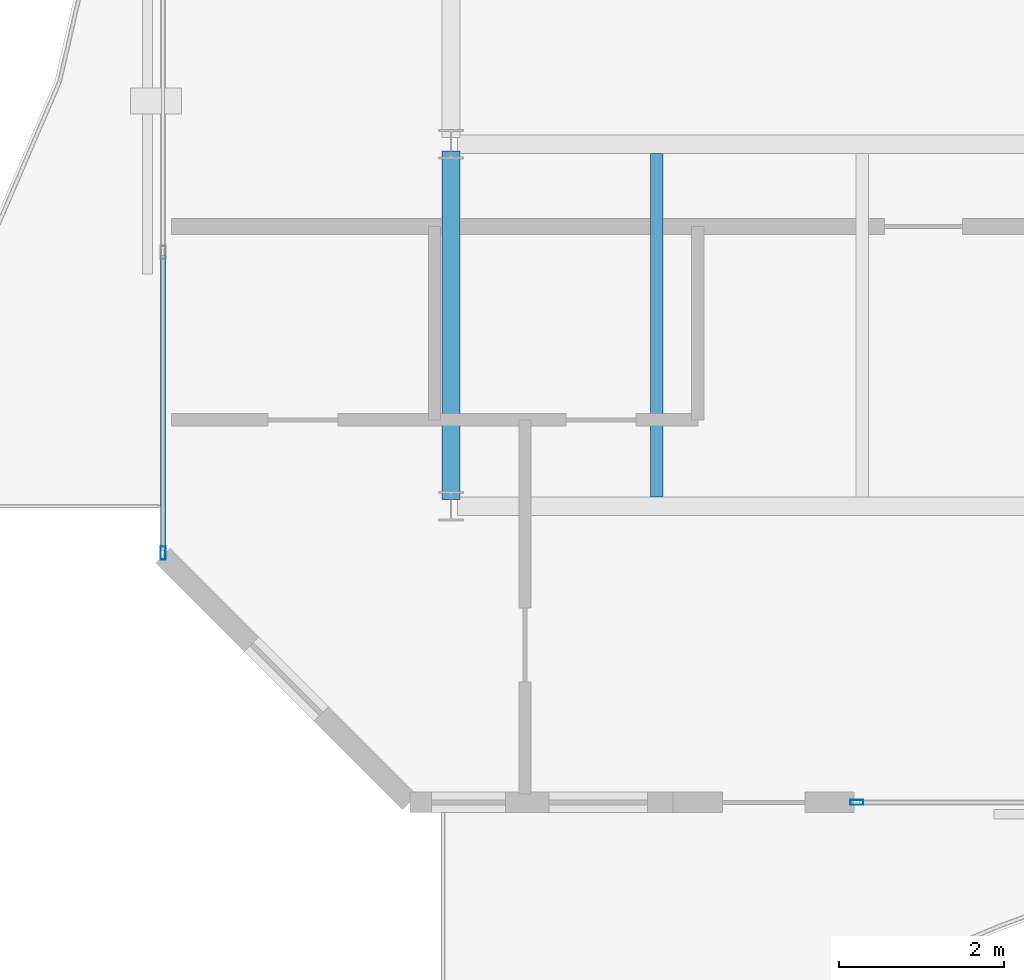
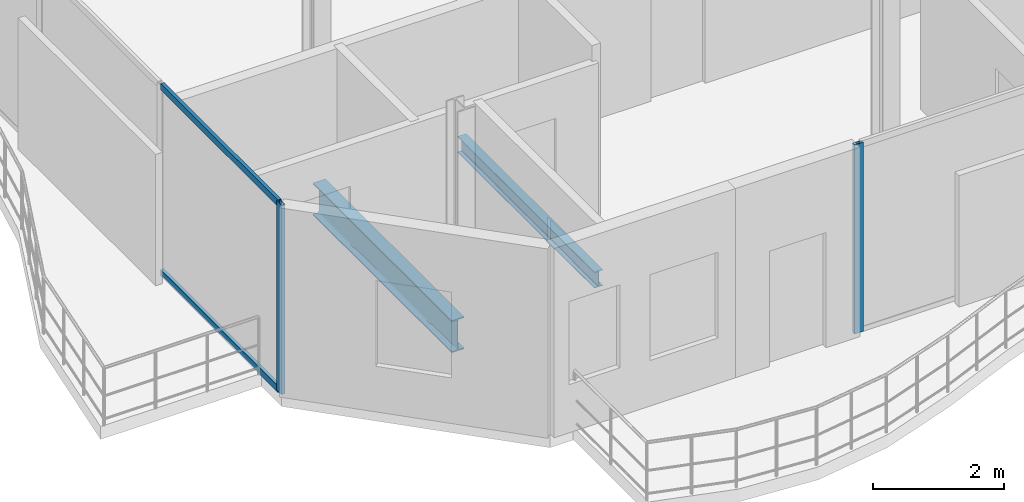
# One storey, part 3 of 22: 4 members, 2 beams, 2 elements without a shape of their own.
"""IFC4 building model written with IfcOpenShell, lengths in metres."""

from ifc_helpers import new_model, si_unit, direction, frame, origin, origin_2d, place, context, subcontext, project, spatial, hollow_rectangle, i_section, extrude, material, layer, layer_set, material_profile, profile_set, type_object, element, aggregate, save


model = new_model("IFC4")

# Units and contexts
model_context = context("Model", 3, precision=1e-05, world=origin(), true_north=direction((0.0, 1.0)))
body_context = subcontext(model_context, "Body", "Model", "MODEL_VIEW")
ifc_project = project(units=[si_unit("LENGTHUNIT", "METRE"), si_unit("AREAUNIT", "SQUARE_METRE"), si_unit("VOLUMEUNIT", "CUBIC_METRE"), si_unit("PLANEANGLEUNIT", "RADIAN"), si_unit("MASSUNIT", "GRAM", prefix="KILO")], contexts=[model_context])

# Site, building, storey
site_placement = place(None, origin())
site = spatial("IfcSite", under=ifc_project, at=site_placement, CompositionType="ELEMENT")
building_placement = place(site_placement, origin())
building = spatial("IfcBuilding", under=site, at=building_placement, Name="Catumbela Crestline Tower", CompositionType="ELEMENT")
storey_placement = place(building_placement, frame((0.0, 0.0, 229.8)))
storey = spatial("IfcBuildingStorey", under=building, at=storey_placement, Name="L59", CompositionType="ELEMENT", Elevation=229.8)

# Beams
ifc_material_1 = material(Name="Structural steel S355J2", Category="steel")
ifc_material_profile_1 = material_profile(ifc_material_1, i_section(OverallWidth=0.22, OverallDepth=0.6, WebThickness=0.012, FlangeThickness=0.019, FilletRadius=0.024, at=origin_2d()), Name="IPE 600")
ifc_profile_set_1 = profile_set([ifc_material_profile_1], Name="Structural steel S355J2")
beam_type_1 = type_object("IfcBeamType", Name="BG-IPE600", PredefinedType="BEAM", material=ifc_profile_set_1)
beam_1_placement = place(storey_placement, frame((8.5, 13.68, -0.56), z_axis=(0.0, 1.0, 0.0), x_axis=(-1.0, 0.0, 0.0)))
element("IfcBeam", 1, at=beam_1_placement, inside=storey, type_object=beam_type_1, Name="L59 Beam BM-L59-WNS31", PredefinedType="BEAM", context=body_context, shape_type="SweptSolid", body=[
    extrude(i_section(OverallWidth=0.22, OverallDepth=0.6, WebThickness=0.012, FlangeThickness=0.019, FilletRadius=0.024, at=origin_2d()), origin(), (0.0, 0.0, 1.0), 4.24),
])
ifc_material_profile_2 = material_profile(ifc_material_1, i_section(OverallWidth=0.15, OverallDepth=0.3, WebThickness=0.0071, FlangeThickness=0.0107, FilletRadius=0.015, at=origin_2d()), Name="IPE 300")
ifc_profile_set_2 = profile_set([ifc_material_profile_2], Name="Structural steel S355J2")
beam_type_2 = type_object("IfcBeamType", Name="BJ-IPE300", PredefinedType="JOIST", material=ifc_profile_set_2)
beam_2_placement = place(storey_placement, frame((11.0, 13.71, -0.41), z_axis=(0.0, 1.0, 0.0), x_axis=(-1.0, 0.0, 0.0)))
element("IfcBeam", 2, at=beam_2_placement, inside=storey, type_object=beam_type_2, Name="L59 Joist JS-L59-WG36", PredefinedType="JOIST", context=body_context, shape_type="SweptSolid", body=[
    extrude(i_section(OverallWidth=0.15, OverallDepth=0.3, WebThickness=0.0071, FlangeThickness=0.0107, FilletRadius=0.015, at=origin_2d()), origin(), (0.0, 0.0, 1.0), 4.18),
])

# Curtain wall, member
ifc_material_2 = material(Name="Aluminium alloy AW-6060-T66", Category="aluminium")
ifc_layer = layer(ifc_material_2, 0.18, Name="Aluminium alloy AW-6060-T66")
ifc_layer_set = layer_set([ifc_layer], Name="Aluminium alloy AW-6060-T66")
curtain_wall_type = type_object("IfcCurtainWallType", Name="CWU-Z4", PredefinedType="USERDEFINED", material=ifc_layer_set)
curtain_wall_1_placement = place(storey_placement, origin())
curtain_wall_1 = element("IfcCurtainWall", 3, at=curtain_wall_1_placement, inside=storey, type_object=curtain_wall_type, Name="L59 Unitised Curtain Wall CW-L59-E0S2", ObjectType="UNITISED", PredefinedType="USERDEFINED")
ifc_material_profile_3 = material_profile(ifc_material_2, hollow_rectangle(XDim=0.06, YDim=0.16, WallThickness=0.004, at=origin_2d()), Name="ALU 160x60x4")
ifc_profile_set_3 = profile_set([ifc_material_profile_3], Name="Aluminium alloy AW-6060-T66")
member_type_1 = type_object("IfcMemberType", Name="MUL-160X60", PredefinedType="MULLION", material=ifc_profile_set_3)
member_1_placement = place(storey_placement, frame((13.4325, 10.0, 0.0), z_axis=(0.0, 0.0, 1.0), x_axis=(0.0, 1.0, 0.0)))
member_1 = element("IfcMember", 4, at=member_1_placement, type_object=member_type_1, Name="CWU-Z4 mullion 1", PredefinedType="MULLION", context=body_context, shape_type="SweptSolid", body=[
    extrude(hollow_rectangle(XDim=0.06, YDim=0.16, WallThickness=0.004, at=origin_2d()), origin(), (0.0, 0.0, 1.0), 3.53),
])
aggregate(curtain_wall_1, [member_1])

# Curtain wall, members
curtain_wall_2_placement = place(storey_placement, origin())
curtain_wall_2 = element("IfcCurtainWall", 5, at=curtain_wall_2_placement, inside=storey, type_object=curtain_wall_type, Name="L59 Unitised Curtain Wall CW-L59-E9S2", ObjectType="UNITISED", PredefinedType="USERDEFINED")
member_2_placement = place(storey_placement, frame((5.0, 13.0325, 0.0), z_axis=(0.0, 0.0, 1.0), x_axis=(1.0, 0.0, 0.0)))
member_2 = element("IfcMember", 6, at=member_2_placement, type_object=member_type_1, Name="CWU-Z4 mullion 7", PredefinedType="MULLION", context=body_context, shape_type="SweptSolid", body=[
    extrude(hollow_rectangle(XDim=0.06, YDim=0.16, WallThickness=0.004, at=origin_2d()), origin(), (0.0, 0.0, 1.0), 3.53),
])
ifc_material_profile_4 = material_profile(ifc_material_2, hollow_rectangle(XDim=0.06, YDim=0.12, WallThickness=0.0035, at=origin_2d()), Name="ALU 120x60x3.5")
ifc_profile_set_4 = profile_set([ifc_material_profile_4], Name="Aluminium alloy AW-6060-T66")
member_type_2 = type_object("IfcMemberType", Name="TRN-120X60", PredefinedType="USERDEFINED", material=ifc_profile_set_4)
member_3_placement = place(storey_placement, frame((5.0, 16.6508, 0.03), z_axis=(0.0, -1.0, 0.0), x_axis=(1.0, 0.0, 0.0)))
member_3 = element("IfcMember", 7, at=member_3_placement, type_object=member_type_2, Name="CWU-Z4 transom 6.1", ObjectType="TRANSOM", PredefinedType="USERDEFINED", context=body_context, shape_type="SweptSolid", body=[
    extrude(hollow_rectangle(XDim=0.06, YDim=0.12, WallThickness=0.0035, at=origin_2d()), origin(), (0.0, 0.0, 1.0), 3.5858),
])
member_4_placement = place(storey_placement, frame((5.0, 16.6508, 3.5), z_axis=(0.0, -1.0, 0.0), x_axis=(1.0, 0.0, 0.0)))
member_4 = element("IfcMember", 8, at=member_4_placement, type_object=member_type_2, Name="CWU-Z4 transom 6.2", ObjectType="TRANSOM", PredefinedType="USERDEFINED", context=body_context, shape_type="SweptSolid", body=[
    extrude(hollow_rectangle(XDim=0.06, YDim=0.12, WallThickness=0.0035, at=origin_2d()), origin(), (0.0, 0.0, 1.0), 3.5858),
])
aggregate(curtain_wall_2, [member_2, member_3, member_4])

save(model, "model.ifc")
